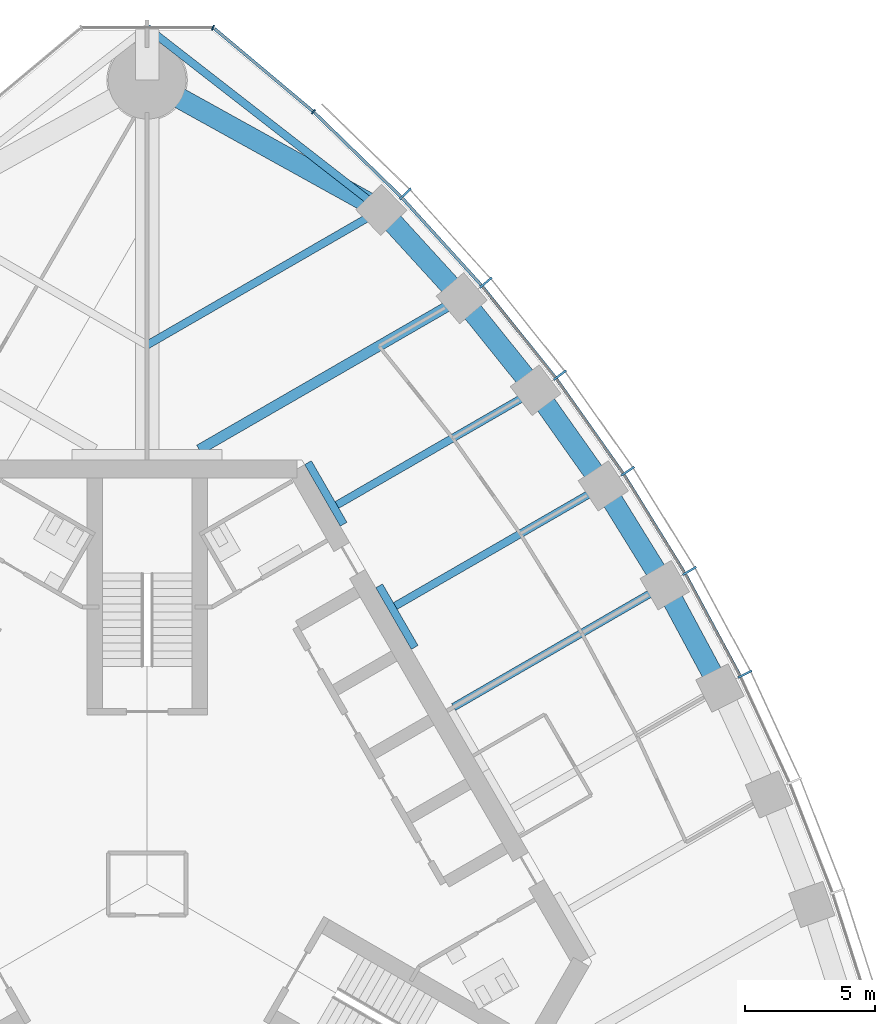
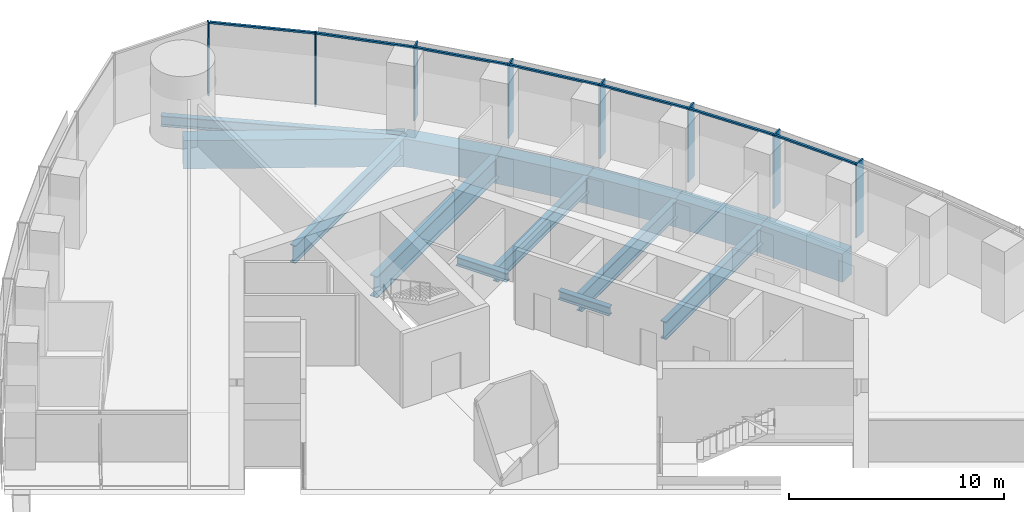
# One storey, part 6 of 16: 15 members, 14 beams, 2 elements without a shape of their own.
"""IFC4 building model written with IfcOpenShell, lengths in metres."""

from ifc_helpers import new_model, si_unit, direction, frame, origin, origin_2d, place, context, subcontext, project, spatial, rectangle, i_section, extrude, material, material_profile, profile_set, type_object, element, aggregate, save


model = new_model("IFC4")

# Units and contexts
model_context = context("Model", 3, precision=1e-05, world=origin(), true_north=direction((0.0, 1.0)))
body_context = subcontext(model_context, "Body", "Model", "MODEL_VIEW")
ifc_project = project(units=[si_unit("LENGTHUNIT", "METRE"), si_unit("AREAUNIT", "SQUARE_METRE"), si_unit("VOLUMEUNIT", "CUBIC_METRE"), si_unit("PLANEANGLEUNIT", "RADIAN"), si_unit("MASSUNIT", "GRAM", prefix="KILO")], contexts=[model_context])

# Site, building, storey
site_placement = place(None, origin())
site = spatial("IfcSite", under=ifc_project, at=site_placement, CompositionType="ELEMENT")
building_placement = place(site_placement, origin())
building = spatial("IfcBuilding", under=site, at=building_placement, Name="Trefoil Bronze Tower", CompositionType="ELEMENT")
storey_placement = place(building_placement, frame((0.0, 0.0, 284.699951171875)))
storey = spatial("IfcBuildingStorey", under=building, at=storey_placement, Name="L65", CompositionType="ELEMENT", Elevation=284.699951171875)

# Curtain wall, members
ifc_material_1 = material(Name="Tinted solar-control glass", Category="glass")
curtain_wall_type_1 = type_object("IfcCurtainWallType", Name="Bronze office curtain wall", PredefinedType="USERDEFINED", material=ifc_material_1)
curtain_wall_1_placement = place(storey_placement, origin())
curtain_wall_1 = element("IfcCurtainWall", 1, at=curtain_wall_1_placement, inside=storey, type_object=curtain_wall_type_1, Name="CW-A L65 F2", ObjectType="CURTAIN WALL", PredefinedType="USERDEFINED")
ifc_material_2 = material(Name="Bronze-finish aluminium", Category="aluminium")
ifc_material_profile_1 = material_profile(ifc_material_2, rectangle(XDim=0.60009765625, YDim=0.080078125, at=origin_2d()), Name="CW-A mullion")
ifc_profile_set_1 = profile_set([ifc_material_profile_1], Name="Bronze-finish aluminium")
member_type_1 = type_object("IfcMemberType", Name="Bronze office curtain wall mullion", PredefinedType="MULLION", material=ifc_profile_set_1)
member_1_placement = place(storey_placement, frame((23.056396484375, 8.094482421875, 0.0), z_axis=(0.0, 0.0, 1.0), x_axis=(-0.894713198289, -0.44664112306, 0.0)))
member_1 = element("IfcMember", 2, at=member_1_placement, type_object=member_type_1, Name="CW-A L65 F2 mullion 5", PredefinedType="MULLION", context=body_context, shape_type="SweptSolid", body=[
    extrude(rectangle(XDim=0.60009765625, YDim=0.080078125, at=origin_2d()), origin(), (0.0, 0.0, 1.0), 4.179931640625),
])
member_2_placement = place(storey_placement, frame((20.916015625, 12.07568359375, 0.0), z_axis=(0.0, 0.0, 1.0), x_axis=(-0.866025403784, -0.5, 0.0)))
member_2 = element("IfcMember", 3, at=member_2_placement, type_object=member_type_1, Name="CW-A L65 F2 mullion 6", PredefinedType="MULLION", context=body_context, shape_type="SweptSolid", body=[
    extrude(rectangle(XDim=0.60009765625, YDim=0.080078125, at=origin_2d()), origin(), (0.0, 0.0, 1.0), 4.179931640625),
])
member_3_placement = place(storey_placement, frame((18.538330078125, 15.920166015625, 0.0), z_axis=(0.0, 0.0, 1.0), x_axis=(-0.834159158089, -0.551523797289, 0.0)))
member_3 = element("IfcMember", 4, at=member_3_placement, type_object=member_type_1, Name="CW-A L65 F2 mullion 7", PredefinedType="MULLION", context=body_context, shape_type="SweptSolid", body=[
    extrude(rectangle(XDim=0.60009765625, YDim=0.080078125, at=origin_2d()), origin(), (0.0, 0.0, 1.0), 4.179931640625),
])
member_4_placement = place(storey_placement, frame((15.922607421875, 19.627197265625, 0.0), z_axis=(0.0, 0.0, 1.0), x_axis=(-0.799096076136, -0.601203344222, 0.0)))
member_4 = element("IfcMember", 5, at=member_4_placement, type_object=member_type_1, Name="CW-A L65 F2 mullion 8", PredefinedType="MULLION", context=body_context, shape_type="SweptSolid", body=[
    extrude(rectangle(XDim=0.60009765625, YDim=0.080078125, at=origin_2d()), origin(), (0.0, 0.0, 1.0), 4.179931640625),
])
member_5_placement = place(storey_placement, frame((13.064453125, 23.194091796875, 0.0), z_axis=(0.0, 0.0, 1.0), x_axis=(-0.760781190165, -0.649008459646, 0.0)))
member_5 = element("IfcMember", 6, at=member_5_placement, type_object=member_type_1, Name="CW-A L65 F2 mullion 9", PredefinedType="MULLION", context=body_context, shape_type="SweptSolid", body=[
    extrude(rectangle(XDim=0.60009765625, YDim=0.080078125, at=origin_2d()), origin(), (0.0, 0.0, 1.0), 4.179931640625),
])
member_6_placement = place(storey_placement, frame((9.957275390625, 26.617431640625, 0.0), z_axis=(0.0, 0.0, 1.0), x_axis=(-0.719001349715, -0.695008675564, 0.0)))
member_6 = element("IfcMember", 7, at=member_6_placement, type_object=member_type_1, Name="CW-A L65 F2 mullion 10", PredefinedType="MULLION", context=body_context, shape_type="SweptSolid", body=[
    extrude(rectangle(XDim=0.60009765625, YDim=0.080078125, at=origin_2d()), origin(), (0.0, 0.0, 1.0), 4.179931640625),
])
ifc_material_3 = material(Name="Bronze-finish aluminium", Category="aluminium")
ifc_material_profile_2 = material_profile(ifc_material_3, rectangle(XDim=0.1201171875, YDim=0.10009765625, at=origin_2d()), Name="CW-A transom")
ifc_profile_set_2 = profile_set([ifc_material_profile_2], Name="Bronze-finish aluminium")
member_type_2 = type_object("IfcMemberType", Name="Bronze office curtain wall transom", PredefinedType="USERDEFINED", material=ifc_profile_set_2)
member_7_placement = place(storey_placement, frame((22.857177734375, 8.043212890625, 4.130126953125), z_axis=(-0.473540024981, 0.880772300167, 0.0), x_axis=(-0.880772300167, -0.473540024981, 0.0)))
member_7 = element("IfcMember", 8, at=member_7_placement, type_object=member_type_2, Name="CW-A L65 F2 transom 5", ObjectType="TRANSOM", PredefinedType="USERDEFINED", context=body_context, shape_type="SweptSolid", body=[
    extrude(rectangle(XDim=0.1201171875, YDim=0.10009765625, at=origin_2d()), origin(), (0.0, 0.0, 1.0), 4.422119140625),
])
member_8_placement = place(storey_placement, frame((20.72021484375, 12.012451171875, 4.130126953125), z_axis=(-0.525978235299, 0.850498028212, 0.0), x_axis=(-0.850498028212, -0.525978235299, 0.0)))
member_8 = element("IfcMember", 9, at=member_8_placement, type_object=member_type_2, Name="CW-A L65 F2 transom 6", ObjectType="TRANSOM", PredefinedType="USERDEFINED", context=body_context, shape_type="SweptSolid", body=[
    extrude(rectangle(XDim=0.1201171875, YDim=0.10009765625, at=origin_2d()), origin(), (0.0, 0.0, 1.0), 4.422119140625),
])
member_9_placement = place(storey_placement, frame((18.3466796875, 15.84521484375, 4.130126953125), z_axis=(-0.5765665752, 0.817050172488, 0.0), x_axis=(-0.817050172488, -0.5765665752, 0.0)))
member_9 = element("IfcMember", 10, at=member_9_placement, type_object=member_type_2, Name="CW-A L65 F2 transom 7", ObjectType="TRANSOM", PredefinedType="USERDEFINED", context=body_context, shape_type="SweptSolid", body=[
    extrude(rectangle(XDim=0.1201171875, YDim=0.10009765625, at=origin_2d()), origin(), (0.0, 0.0, 1.0), 4.4384765625),
])
member_10_placement = place(storey_placement, frame((15.73583984375, 19.54052734375, 4.130126953125), z_axis=(-0.625300648488, 0.780383943325, 0.0), x_axis=(-0.780383943325, -0.625300648488, 0.0)))
member_10 = element("IfcMember", 11, at=member_10_placement, type_object=member_type_2, Name="CW-A L65 F2 transom 8", ObjectType="TRANSOM", PredefinedType="USERDEFINED", context=body_context, shape_type="SweptSolid", body=[
    extrude(rectangle(XDim=0.1201171875, YDim=0.10009765625, at=origin_2d()), origin(), (0.0, 0.0, 1.0), 4.472412109375),
])
member_11_placement = place(storey_placement, frame((12.88330078125, 23.09619140625, 4.130126953125), z_axis=(-0.672068269674, 0.740489190264, 0.0), x_axis=(-0.740489190264, -0.672068269674, 0.0)))
member_11 = element("IfcMember", 12, at=member_11_placement, type_object=member_type_2, Name="CW-A L65 F2 transom 9", ObjectType="TRANSOM", PredefinedType="USERDEFINED", context=body_context, shape_type="SweptSolid", body=[
    extrude(rectangle(XDim=0.1201171875, YDim=0.10009765625, at=origin_2d()), origin(), (0.0, 0.0, 1.0), 4.5244140625),
])
member_12_placement = place(storey_placement, frame((9.782470703125, 26.508544921875, 4.130126953125), z_axis=(-0.717224617883, 0.696842053484, 0.0), x_axis=(-0.696842053484, -0.717224617883, 0.0)))
member_12 = element("IfcMember", 13, at=member_12_placement, type_object=member_type_2, Name="CW-A L65 F2 transom 10", ObjectType="TRANSOM", PredefinedType="USERDEFINED", context=body_context, shape_type="SweptSolid", body=[
    extrude(rectangle(XDim=0.1201171875, YDim=0.10009765625, at=origin_2d()), origin(), (0.0, 0.0, 1.0), 4.6474609375),
])
aggregate(curtain_wall_1, [member_1, member_2, member_3, member_4, member_5, member_6, member_7, member_8, member_9, member_10, member_11, member_12])

ifc_material_4 = material(Name="Tinted solar-control glass", Category="glass")
curtain_wall_type_2 = type_object("IfcCurtainWallType", Name="Bronze rounded corner curtain wall", PredefinedType="USERDEFINED", material=ifc_material_4)
curtain_wall_2_placement = place(storey_placement, origin())
curtain_wall_2 = element("IfcCurtainWall", 14, at=curtain_wall_2_placement, inside=storey, type_object=curtain_wall_type_2, Name="CW-B L65 K2", ObjectType="CURTAIN WALL", PredefinedType="USERDEFINED")
ifc_material_5 = material(Name="Bronze-finish aluminium", Category="aluminium")
ifc_material_profile_3 = material_profile(ifc_material_5, rectangle(XDim=0.199951171875, YDim=0.06005859375, at=origin_2d()), Name="CW-B mullion")
ifc_profile_set_3 = profile_set([ifc_material_profile_3], Name="Bronze-finish aluminium")
member_type_3 = type_object("IfcMemberType", Name="Bronze rounded corner curtain wall mullion", PredefinedType="MULLION", material=ifc_profile_set_3)
member_13_placement = place(storey_placement, frame((6.4150390625, 29.77978515625, 0.0), z_axis=(0.0, 0.0, 1.0), x_axis=(-0.642787609687, -0.766044443119, 0.0)))
member_13 = element("IfcMember", 15, at=member_13_placement, type_object=member_type_3, Name="CW-B L65 K2 mullion 1", PredefinedType="MULLION", context=body_context, shape_type="SweptSolid", body=[
    extrude(rectangle(XDim=0.199951171875, YDim=0.06005859375, at=origin_2d()), origin(), (0.0, 0.0, 1.0), 4.179931640625),
])
member_14_placement = place(storey_placement, frame((2.542236328125, 33.021484375, 0.0), z_axis=(0.0, 0.0, 1.0), x_axis=(-0.342020143326, -0.939692620786, 0.0)))
member_14 = element("IfcMember", 16, at=member_14_placement, type_object=member_type_3, Name="CW-B L65 K2 mullion 2", PredefinedType="MULLION", context=body_context, shape_type="SweptSolid", body=[
    extrude(rectangle(XDim=0.199951171875, YDim=0.06005859375, at=origin_2d()), origin(), (0.0, 0.0, 1.0), 4.179931640625),
])
ifc_material_6 = material(Name="Bronze-finish aluminium", Category="aluminium")
ifc_material_profile_4 = material_profile(ifc_material_6, rectangle(XDim=0.1201171875, YDim=0.10009765625, at=origin_2d()), Name="CW-B transom")
ifc_profile_set_4 = profile_set([ifc_material_profile_4], Name="Bronze-finish aluminium")
member_type_4 = type_object("IfcMemberType", Name="Bronze rounded corner curtain wall transom", PredefinedType="USERDEFINED", material=ifc_profile_set_4)
member_15_placement = place(storey_placement, frame((6.39208984375, 29.799072265625, 4.130126953125), z_axis=(-0.766040522511, 0.642792282056, 0.0), x_axis=(-0.642792282056, -0.766040522511, 0.0)))
member_15 = element("IfcMember", 17, at=member_15_placement, type_object=member_type_4, Name="CW-B L65 K2 transom 1", ObjectType="TRANSOM", PredefinedType="USERDEFINED", context=body_context, shape_type="SweptSolid", body=[
    extrude(rectangle(XDim=0.1201171875, YDim=0.10009765625, at=origin_2d()), origin(), (0.0, 0.0, 1.0), 4.9560546875),
])
aggregate(curtain_wall_2, [member_13, member_14, member_15])

# Beams
ifc_material_7 = material(Name="Steel C355", Category="steel")
ifc_material_profile_5 = material_profile(ifc_material_7, i_section(OverallWidth=0.300048828125, OverallDepth=0.5, WebThickness=0.014404296875, FlangeThickness=0.028076171875, FilletRadius=0.027099609375, at=origin_2d()), Name="HEB 500")
ifc_profile_set_5 = profile_set([ifc_material_profile_5], Name="Steel C355")
beam_type_1 = type_object("IfcBeamType", Name="Core seat beam HEB 500", PredefinedType="BEAM", material=ifc_profile_set_5)
for number, where, z_axis, x_axis, name in (
    (18, (10.320068359375, 9.125, -0.449951171875), (-0.499969057507, 0.866043267704, 0.0), (-0.866043267704, -0.499969057507, 0.0), "Core seat beam F2/+1 L65"),
    (19, (7.57763671875, 13.875, -0.449951171875), (-0.499969057507, 0.866043267704, 0.0), (-0.866043267704, -0.499969057507, 0.0), "Core seat beam F2/+2 L65"),
):
    element("IfcBeam", number, at=place(storey_placement, frame(where, z_axis=z_axis, x_axis=x_axis)), inside=storey, type_object=beam_type_1, Name=name, PredefinedType="BEAM", context=body_context, shape_type="SweptSolid", body=[
        extrude(i_section(OverallWidth=0.300048828125, OverallDepth=0.5, WebThickness=0.014404296875, FlangeThickness=0.028076171875, FilletRadius=0.027099609375, at=origin_2d()), origin(), (0.0, 0.0, 1.0), 2.742431640625),
    ])
ifc_material_8 = material(Name="Steel C355", Category="steel")
ifc_material_profile_6 = material_profile(ifc_material_8, i_section(OverallWidth=0.300048828125, OverallDepth=0.60009765625, WebThickness=0.015380859375, FlangeThickness=0.030029296875, FilletRadius=0.027099609375, at=origin_2d()), Name="HEB 600")
ifc_profile_set_6 = profile_set([ifc_material_profile_6], Name="Steel C355")
beam_type_2 = type_object("IfcBeamType", Name="Corner edge beam HEB 600", PredefinedType="BEAM", material=ifc_profile_set_6)
beam_1_placement = place(storey_placement, frame((9.02734375, 25.99658203125, -0.5), z_axis=(-0.789270604977, 0.614045529354, 0.0), x_axis=(-0.614045529354, -0.789270604977, 0.0)))
element("IfcBeam", 20, at=beam_1_placement, inside=storey, type_object=beam_type_2, Name="Corner edge beam F2A L65", PredefinedType="BEAM", context=body_context, shape_type="SweptSolid", body=[
    extrude(i_section(OverallWidth=0.300048828125, OverallDepth=0.60009765625, WebThickness=0.015380859375, FlangeThickness=0.030029296875, FilletRadius=0.027099609375, at=origin_2d()), origin(), (0.0, 0.0, 1.0), 11.4375),
])
ifc_material_9 = material(Name="Concrete B80", Category="concrete")
ifc_material_profile_7 = material_profile(ifc_material_9, rectangle(XDim=0.800048828125, YDim=1.60009765625, at=origin_2d()), Name="RC 800x1600")
ifc_profile_set_7 = profile_set([ifc_material_profile_7], Name="Concrete B80")
beam_type_3 = type_object("IfcBeamType", Name="End spandrel beam RC 800x1600", PredefinedType="SPANDREL", material=ifc_profile_set_7)
beam_2_placement = place(storey_placement, frame((9.02734375, 25.99658203125, -1.0), z_axis=(-0.874641085074, 0.484771051426, 0.0), x_axis=(-0.484771051426, -0.874641085074, 0.0)))
element("IfcBeam", 21, at=beam_2_placement, inside=storey, type_object=beam_type_3, Name="Spandrel F2.10 L65", PredefinedType="SPANDREL", context=body_context, shape_type="SweptSolid", body=[
    extrude(rectangle(XDim=0.800048828125, YDim=1.60009765625, at=origin_2d()), origin(), (0.0, 0.0, 1.0), 10.3212890625),
])
ifc_material_10 = material(Name="Steel C355", Category="steel")
ifc_material_profile_8 = material_profile(ifc_material_10, i_section(OverallWidth=0.300048828125, OverallDepth=1.0, WebThickness=0.01904296875, FlangeThickness=0.035888671875, FilletRadius=0.030029296875, at=origin_2d()), Name="HEB 1000")
ifc_profile_set_8 = profile_set([ifc_material_profile_8], Name="Steel C355")
beam_type_4 = type_object("IfcBeamType", Name="Floor beam HEB 1000", PredefinedType="BEAM", material=ifc_profile_set_8)
beam_3_placement = place(storey_placement, frame((19.96337890625, 11.52587890625, -0.699951171875), z_axis=(-0.866021259968, -0.500007177232, 0.0), x_axis=(0.500007177232, -0.866021259968, 0.0)))
element("IfcBeam", 22, at=beam_3_placement, inside=storey, type_object=beam_type_4, Name="Floor beam F2/+0 L65", PredefinedType="BEAM", context=body_context, shape_type="SweptSolid", body=[
    extrude(i_section(OverallWidth=0.300048828125, OverallDepth=1.0, WebThickness=0.01904296875, FlangeThickness=0.035888671875, FilletRadius=0.030029296875, at=origin_2d()), origin(), (0.0, 0.0, 1.0), 9.401611328125),
])
beam_4_placement = place(storey_placement, frame((17.593994140625, 15.35400390625, -0.699951171875), z_axis=(-0.866028909405, -0.499993928037, 0.0), x_axis=(0.499993928037, -0.866028909405, 0.0)))
element("IfcBeam", 23, at=beam_4_placement, inside=storey, type_object=beam_type_4, Name="Floor beam F2/+1 L65", PredefinedType="BEAM", context=body_context, shape_type="SweptSolid", body=[
    extrude(i_section(OverallWidth=0.300048828125, OverallDepth=1.0, WebThickness=0.01904296875, FlangeThickness=0.035888671875, FilletRadius=0.030029296875, at=origin_2d()), origin(), (0.0, 0.0, 1.0), 9.263671875),
])
ifc_material_11 = material(Name="Steel C355", Category="steel")
ifc_material_profile_9 = material_profile(ifc_material_11, i_section(OverallWidth=0.300048828125, OverallDepth=0.89990234375, WebThickness=0.0185546875, FlangeThickness=0.034912109375, FilletRadius=0.030029296875, at=origin_2d()), Name="HEB 900")
ifc_profile_set_9 = profile_set([ifc_material_profile_9], Name="Steel C355")
beam_type_5 = type_object("IfcBeamType", Name="Floor beam HEB 900", PredefinedType="BEAM", material=ifc_profile_set_9)
beam_5_placement = place(storey_placement, frame((14.98486328125, 19.043701171875, -0.64990234375), z_axis=(-0.866025701847, -0.499999483739, 0.0), x_axis=(0.499999483739, -0.866025701847, 0.0)))
element("IfcBeam", 24, at=beam_5_placement, inside=storey, type_object=beam_type_5, Name="Floor beam F2/+2 L65", PredefinedType="BEAM", context=body_context, shape_type="SweptSolid", body=[
    extrude(i_section(OverallWidth=0.300048828125, OverallDepth=0.89990234375, WebThickness=0.0185546875, FlangeThickness=0.034912109375, FilletRadius=0.030029296875, at=origin_2d()), origin(), (0.0, 0.0, 1.0), 8.84912109375),
])
ifc_material_12 = material(Name="Steel C355", Category="steel")
ifc_material_profile_10 = material_profile(ifc_material_12, i_section(OverallWidth=0.302001953125, OverallDepth=1.008056640625, WebThickness=0.02099609375, FlangeThickness=0.0400390625, FilletRadius=0.030029296875, at=origin_2d()), Name="HEM 1000")
ifc_profile_set_10 = profile_set([ifc_material_profile_10], Name="Steel C355")
beam_type_6 = type_object("IfcBeamType", Name="Floor beam HEM 1000", PredefinedType="BEAM", material=ifc_profile_set_10)
beam_6_placement = place(storey_placement, frame((9.02734375, 25.99658203125, -0.703857421875), z_axis=(-0.866026453994, -0.499998180979, 0.0), x_axis=(0.499998180979, -0.866026453994, 0.0)))
element("IfcBeam", 25, at=beam_6_placement, inside=storey, type_object=beam_type_6, Name="Floor beam F2/+4 L65", PredefinedType="BEAM", context=body_context, shape_type="SweptSolid", body=[
    extrude(i_section(OverallWidth=0.302001953125, OverallDepth=1.008056640625, WebThickness=0.02099609375, FlangeThickness=0.0400390625, FilletRadius=0.030029296875, at=origin_2d()), origin(), (0.0, 0.0, 1.0), 10.423828125),
])
ifc_material_13 = material(Name="Steel C355", Category="steel")
ifc_material_profile_11 = material_profile(ifc_material_13, i_section(OverallWidth=0.39990234375, OverallDepth=1.199951171875, WebThickness=0.02001953125, FlangeThickness=0.0400390625, FilletRadius=0.010009765625, at=origin_2d()), Name="WPG 1200")
ifc_profile_set_11 = profile_set([ifc_material_profile_11], Name="Steel C355")
beam_type_7 = type_object("IfcBeamType", Name="Floor beam WPG 1200", PredefinedType="BEAM", material=ifc_profile_set_11)
beam_7_placement = place(storey_placement, frame((12.131591796875, 22.5927734375, -0.800048828125), z_axis=(-0.866017882563, -0.500013026912, 0.0), x_axis=(0.500013026912, -0.866017882563, 0.0)))
element("IfcBeam", 26, at=beam_7_placement, inside=storey, type_object=beam_type_7, Name="Floor beam F2/+3 L65", PredefinedType="BEAM", context=body_context, shape_type="SweptSolid", body=[
    extrude(i_section(OverallWidth=0.39990234375, OverallDepth=1.199951171875, WebThickness=0.02001953125, FlangeThickness=0.0400390625, FilletRadius=0.010009765625, at=origin_2d()), origin(), (0.0, 0.0, 1.0), 11.685302734375),
])
ifc_material_14 = material(Name="Concrete B80", Category="concrete")
ifc_material_profile_12 = material_profile(ifc_material_14, rectangle(XDim=0.800048828125, YDim=1.60009765625, at=origin_2d()), Name="RC 800x1600")
ifc_profile_set_12 = profile_set([ifc_material_profile_12], Name="Concrete B80")
beam_type_8 = type_object("IfcBeamType", Name="Spandrel beam RC 800x1600", PredefinedType="SPANDREL", material=ifc_profile_set_12)
beam_8_placement = place(storey_placement, frame((22.093994140625, 7.559814453125, -1.0), z_axis=(-0.473245885676, 0.880930378458, 0.0), x_axis=(-0.880930378458, -0.473245885676, 0.0)))
element("IfcBeam", 27, at=beam_8_placement, inside=storey, type_object=beam_type_8, Name="Spandrel F2.5 L65", PredefinedType="SPANDREL", context=body_context, shape_type="SweptSolid", body=[
    extrude(rectangle(XDim=0.800048828125, YDim=1.60009765625, at=origin_2d()), origin(), (0.0, 0.0, 1.0), 4.502197265625),
])
beam_9_placement = place(storey_placement, frame((19.96337890625, 11.52587890625, -1.0), z_axis=(-0.526289271956, 0.850305593433, 0.0), x_axis=(-0.850305593433, -0.526289271956, 0.0)))
element("IfcBeam", 28, at=beam_9_placement, inside=storey, type_object=beam_type_8, Name="Spandrel F2.6 L65", PredefinedType="SPANDREL", context=body_context, shape_type="SweptSolid", body=[
    extrude(rectangle(XDim=0.800048828125, YDim=1.60009765625, at=origin_2d()), origin(), (0.0, 0.0, 1.0), 4.501953125),
])
beam_10_placement = place(storey_placement, frame((17.593994140625, 15.35400390625, -1.0), z_axis=(-0.577368105169, 0.816483968693, 0.0), x_axis=(-0.816483968693, -0.577368105169, 0.0)))
element("IfcBeam", 29, at=beam_10_placement, inside=storey, type_object=beam_type_8, Name="Spandrel F2.7 L65", PredefinedType="SPANDREL", context=body_context, shape_type="SweptSolid", body=[
    extrude(rectangle(XDim=0.800048828125, YDim=1.60009765625, at=origin_2d()), origin(), (0.0, 0.0, 1.0), 4.51904296875),
])
beam_11_placement = place(storey_placement, frame((14.98486328125, 19.043701171875, -1.0), z_axis=(-0.626569682592, 0.779365403939, 0.0), x_axis=(-0.779365403939, -0.626569682592, 0.0)))
element("IfcBeam", 30, at=beam_11_placement, inside=storey, type_object=beam_type_8, Name="Spandrel F2.8 L65", PredefinedType="SPANDREL", context=body_context, shape_type="SweptSolid", body=[
    extrude(rectangle(XDim=0.800048828125, YDim=1.60009765625, at=origin_2d()), origin(), (0.0, 0.0, 1.0), 4.5537109375),
])
beam_12_placement = place(storey_placement, frame((12.131591796875, 22.5927734375, -1.0), z_axis=(-0.673845775847, 0.738872025707, 0.0), x_axis=(-0.738872025707, -0.673845775847, 0.0)))
element("IfcBeam", 31, at=beam_12_placement, inside=storey, type_object=beam_type_8, Name="Spandrel F2.9 L65", PredefinedType="SPANDREL", context=body_context, shape_type="SweptSolid", body=[
    extrude(rectangle(XDim=0.800048828125, YDim=1.60009765625, at=origin_2d()), origin(), (0.0, 0.0, 1.0), 4.606689453125),
])

save(model, "model.ifc")
